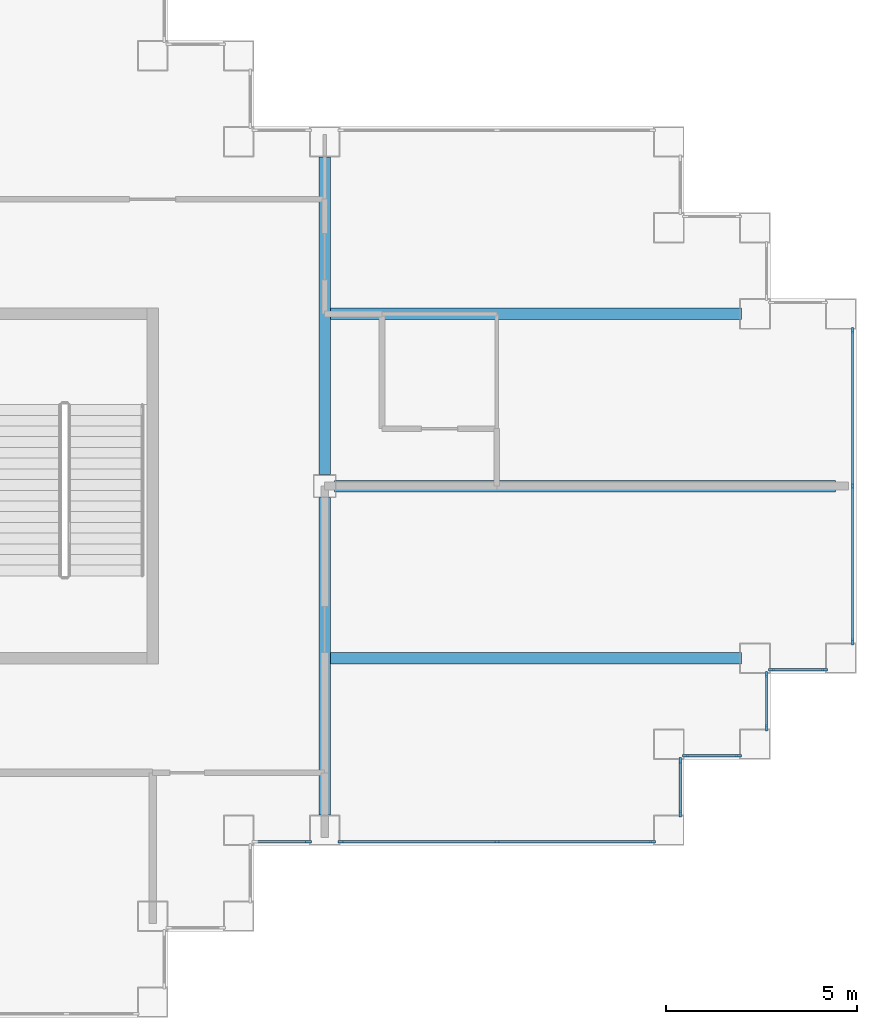
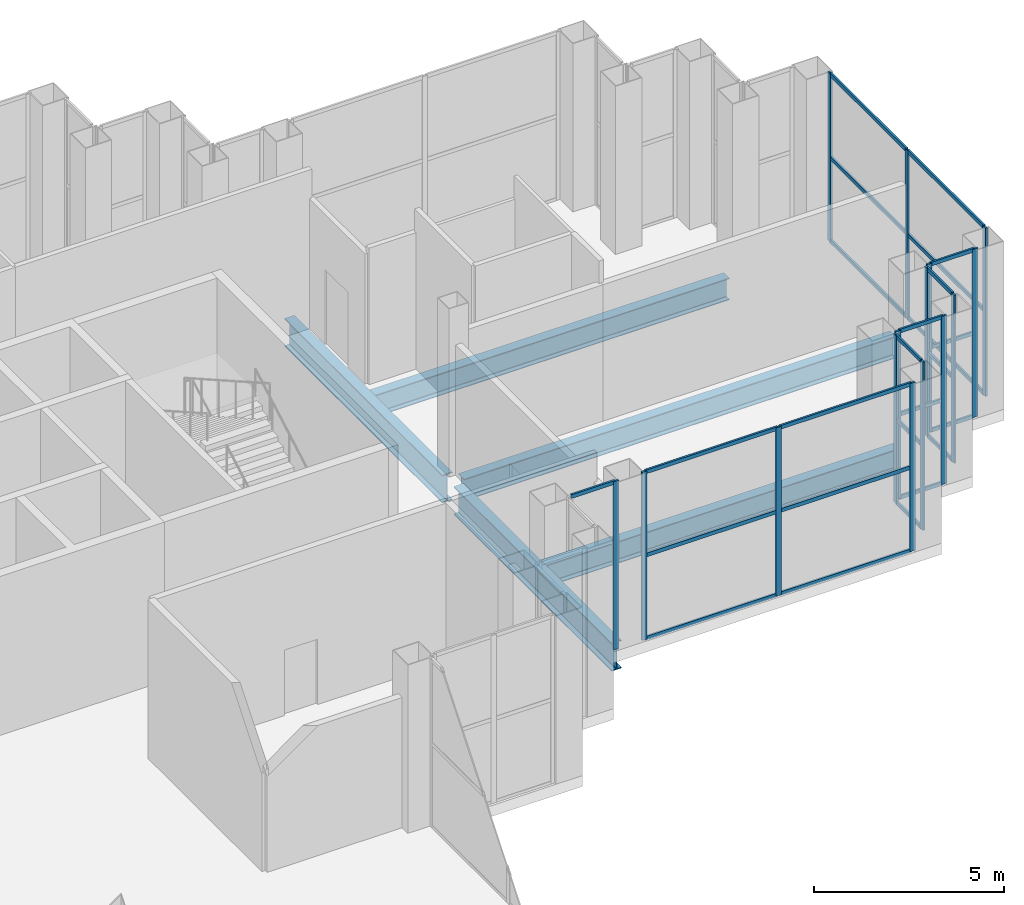
# One storey, part 6 of 18: 40 members, 5 beams, 7 elements without a shape of their own.
"""IFC4 building model written with IfcOpenShell, lengths in metres."""

from ifc_helpers import new_model, si_unit, direction, frame, origin, origin_2d, place, context, subcontext, project, spatial, rectangle, i_section, extrude, material, layer, layer_set, material_profile, profile_set, type_object, element, aggregate, save


model = new_model("IFC4")

# Units and contexts
model_context = context("Model", 3, precision=1e-05, world=origin(), true_north=direction((0.0, 1.0)))
body_context = subcontext(model_context, "Body", "Model", "MODEL_VIEW")
ifc_project = project(units=[si_unit("LENGTHUNIT", "METRE"), si_unit("AREAUNIT", "SQUARE_METRE"), si_unit("VOLUMEUNIT", "CUBIC_METRE"), si_unit("PLANEANGLEUNIT", "RADIAN"), si_unit("MASSUNIT", "GRAM", prefix="KILO")], contexts=[model_context])

# Site, building, storey
site_placement = place(None, origin())
site = spatial("IfcSite", under=ifc_project, at=site_placement, CompositionType="ELEMENT")
building_placement = place(site_placement, origin())
building = spatial("IfcBuilding", under=site, at=building_placement, Name="Caravel Reach Hotel and Residences", CompositionType="ELEMENT")
storey_placement = place(building_placement, frame((0.0, 0.0, 145.199951171875)))
storey = spatial("IfcBuildingStorey", under=building, at=storey_placement, Name="L36", CompositionType="ELEMENT", Elevation=145.199951171875)

# Beams
ifc_material_1 = material(Name="Structural steel Q355B", Category="steel")
ifc_material_profile_1 = material_profile(ifc_material_1, i_section(OverallWidth=0.300048828125, OverallDepth=0.699951171875, WebThickness=0.012939453125, FlangeThickness=0.02392578125, FilletRadius=0.01806640625, at=origin_2d()), Name="HN 700x300x13x24")
ifc_profile_set_1 = profile_set([ifc_material_profile_1], Name="Structural steel Q355B")
beam_type_1 = type_object("IfcBeamType", Name="Beam HN 700x300x13x24", PredefinedType="BEAM", material=ifc_profile_set_1)
beam_1_placement = place(storey_placement, frame((49.64990234375, 22.5, -0.699951171875), z_axis=(1.0, 0.0, 0.0), x_axis=(0.0, 1.0, 0.0)))
element("IfcBeam", 1, at=beam_1_placement, inside=storey, type_object=beam_type_1, Name="B2 HN 700x300x13x24", PredefinedType="BEAM", context=body_context, shape_type="SweptSolid", body=[
    extrude(i_section(OverallWidth=0.300048828125, OverallDepth=0.699951171875, WebThickness=0.012939453125, FlangeThickness=0.02392578125, FilletRadius=0.01806640625, at=origin_2d()), origin(), (0.0, 0.0, 1.0), 10.75),
])
beam_2_placement = place(storey_placement, frame((49.75, 27.0, -0.699951171875), z_axis=(1.0, 0.0, 0.0), x_axis=(0.0, 1.0, 0.0)))
element("IfcBeam", 2, at=beam_2_placement, inside=storey, type_object=beam_type_1, Name="B2 HN 700x300x13x24", PredefinedType="BEAM", context=body_context, shape_type="SweptSolid", body=[
    extrude(i_section(OverallWidth=0.300048828125, OverallDepth=0.699951171875, WebThickness=0.012939453125, FlangeThickness=0.02392578125, FilletRadius=0.01806640625, at=origin_2d()), origin(), (0.0, 0.0, 1.0), 13.10009765625),
])
beam_3_placement = place(storey_placement, frame((49.64990234375, 31.5, -0.699951171875), z_axis=(1.0, 0.0, 0.0), x_axis=(0.0, 1.0, 0.0)))
element("IfcBeam", 3, at=beam_3_placement, inside=storey, type_object=beam_type_1, Name="B2 HN 700x300x13x24", PredefinedType="BEAM", context=body_context, shape_type="SweptSolid", body=[
    extrude(i_section(OverallWidth=0.300048828125, OverallDepth=0.699951171875, WebThickness=0.012939453125, FlangeThickness=0.02392578125, FilletRadius=0.01806640625, at=origin_2d()), origin(), (0.0, 0.0, 1.0), 10.75),
])
ifc_material_2 = material(Name="Structural steel Q355B", Category="steel")
ifc_material_profile_2 = material_profile(ifc_material_2, i_section(OverallWidth=0.300048828125, OverallDepth=0.89990234375, WebThickness=0.01611328125, FlangeThickness=0.028076171875, FilletRadius=0.01806640625, at=origin_2d()), Name="HN 900x300x16x28")
ifc_profile_set_2 = profile_set([ifc_material_profile_2], Name="Structural steel Q355B")
beam_type_2 = type_object("IfcBeamType", Name="Beam HN 900x300x16x28", PredefinedType="BEAM", material=ifc_profile_set_2)
for number, where, z_axis, x_axis, name in (
    (4, (49.5, 18.39990234375, -0.800048828125), (0.0, 1.0, 0.0), (-1.0, 0.0, 0.0), "B3 HN 900x300x16x28"),
    (5, (49.5, 27.300048828125, -0.800048828125), (0.0, 1.0, 0.0), (-1.0, 0.0, 0.0), "B3 HN 900x300x16x28"),
):
    element("IfcBeam", number, at=place(storey_placement, frame(where, z_axis=z_axis, x_axis=x_axis)), inside=storey, type_object=beam_type_2, Name=name, PredefinedType="BEAM", context=body_context, shape_type="SweptSolid", body=[
        extrude(i_section(OverallWidth=0.300048828125, OverallDepth=0.89990234375, WebThickness=0.01611328125, FlangeThickness=0.028076171875, FilletRadius=0.01806640625, at=origin_2d()), origin(), (0.0, 0.0, 1.0), 8.300048828125),
    ])

# Curtain wall, member
ifc_material_3 = material(Name="Dark low-e glazing in black aluminium frame", Category="aluminium")
ifc_layer = layer(ifc_material_3, 0.199951171875)
ifc_layer_set = layer_set([ifc_layer], Name="CW2 Sky lobby glazing")
curtain_wall_type = type_object("IfcCurtainWallType", Name="CW2 Sky lobby glazing", PredefinedType="NOTDEFINED", material=ifc_layer_set)
curtain_wall_1_placement = place(storey_placement, origin())
curtain_wall_1 = element("IfcCurtainWall", 6, at=curtain_wall_1_placement, inside=storey, type_object=curtain_wall_type, Name="Sky lobby glazing b0", PredefinedType="NOTDEFINED")
ifc_material_4 = material(Name="Anodised aluminium alloy 6063-T5, black", Category="aluminium")
ifc_material_profile_3 = material_profile(ifc_material_4, rectangle(XDim=0.06005859375, YDim=0.159912109375, at=origin_2d()), Name="CW mullion 60 x 160")
ifc_profile_set_3 = profile_set([ifc_material_profile_3], Name="Anodised aluminium alloy 6063-T5, black")
member_type_1 = type_object("IfcMemberType", Name="CW mullion 60 x 160", PredefinedType="MULLION", material=ifc_profile_set_3)
member_1_placement = place(storey_placement, frame((49.070068359375, 17.699951171875, 0.0), z_axis=(0.0, 0.0, 1.0), x_axis=(0.0, 1.0, 0.0)))
member_1 = element("IfcMember", 7, at=member_1_placement, type_object=member_type_1, Name="CW2 mullion 2", PredefinedType="MULLION", context=body_context, shape_type="SweptSolid", body=[
    extrude(rectangle(XDim=0.06005859375, YDim=0.159912109375, at=origin_2d()), origin(), (0.0, 0.0, 1.0), 5.400146484375),
])

# Curtain wall, members
curtain_wall_2_placement = place(storey_placement, origin())
curtain_wall_2 = element("IfcCurtainWall", 8, at=curtain_wall_2_placement, inside=storey, type_object=curtain_wall_type, Name="Sky lobby glazing b1", PredefinedType="NOTDEFINED")
member_2_placement = place(storey_placement, frame((49.929931640625, 17.699951171875, 0.0), z_axis=(0.0, 0.0, 1.0), x_axis=(0.0, 1.0, 0.0)))
member_2 = element("IfcMember", 9, at=member_2_placement, type_object=member_type_1, Name="CW2 mullion 1", PredefinedType="MULLION", context=body_context, shape_type="SweptSolid", body=[
    extrude(rectangle(XDim=0.06005859375, YDim=0.159912109375, at=origin_2d()), origin(), (0.0, 0.0, 1.0), 5.400146484375),
])
member_3_placement = place(storey_placement, frame((54.0, 17.699951171875, 0.0), z_axis=(0.0, 0.0, 1.0), x_axis=(0.0, 1.0, 0.0)))
member_3 = element("IfcMember", 10, at=member_3_placement, type_object=member_type_1, Name="CW2 mullion 2", PredefinedType="MULLION", context=body_context, shape_type="SweptSolid", body=[
    extrude(rectangle(XDim=0.06005859375, YDim=0.159912109375, at=origin_2d()), origin(), (0.0, 0.0, 1.0), 5.400146484375),
])
member_4_placement = place(storey_placement, frame((58.070068359375, 17.699951171875, 0.0), z_axis=(0.0, 0.0, 1.0), x_axis=(0.0, 1.0, 0.0)))
member_4 = element("IfcMember", 11, at=member_4_placement, type_object=member_type_1, Name="CW2 mullion 3", PredefinedType="MULLION", context=body_context, shape_type="SweptSolid", body=[
    extrude(rectangle(XDim=0.06005859375, YDim=0.159912109375, at=origin_2d()), origin(), (0.0, 0.0, 1.0), 5.400146484375),
])

curtain_wall_3_placement = place(storey_placement, origin())
curtain_wall_3 = element("IfcCurtainWall", 12, at=curtain_wall_3_placement, inside=storey, type_object=curtain_wall_type, Name="Sky lobby glazing b0", PredefinedType="NOTDEFINED")
member_5_placement = place(storey_placement, frame((58.800048828125, 18.429931640625, 0.0), z_axis=(0.0, 0.0, 1.0), x_axis=(-1.0, 0.0, 0.0)))
member_5 = element("IfcMember", 13, at=member_5_placement, type_object=member_type_1, Name="CW2 mullion 1", PredefinedType="MULLION", context=body_context, shape_type="SweptSolid", body=[
    extrude(rectangle(XDim=0.06005859375, YDim=0.159912109375, at=origin_2d()), origin(), (0.0, 0.0, 1.0), 5.400146484375),
])
member_6_placement = place(storey_placement, frame((58.800048828125, 19.820068359375, 0.0), z_axis=(0.0, 0.0, 1.0), x_axis=(-1.0, 0.0, 0.0)))
member_6 = element("IfcMember", 14, at=member_6_placement, type_object=member_type_1, Name="CW2 mullion 2", PredefinedType="MULLION", context=body_context, shape_type="SweptSolid", body=[
    extrude(rectangle(XDim=0.06005859375, YDim=0.159912109375, at=origin_2d()), origin(), (0.0, 0.0, 1.0), 5.400146484375),
])

curtain_wall_4_placement = place(storey_placement, origin())
curtain_wall_4 = element("IfcCurtainWall", 15, at=curtain_wall_4_placement, inside=storey, type_object=curtain_wall_type, Name="Sky lobby glazing b0", PredefinedType="NOTDEFINED")
member_7_placement = place(storey_placement, frame((58.929931640625, 19.949951171875, 0.0), z_axis=(0.0, 0.0, 1.0), x_axis=(0.0, 1.0, 0.0)))
member_7 = element("IfcMember", 16, at=member_7_placement, type_object=member_type_1, Name="CW2 mullion 1", PredefinedType="MULLION", context=body_context, shape_type="SweptSolid", body=[
    extrude(rectangle(XDim=0.06005859375, YDim=0.159912109375, at=origin_2d()), origin(), (0.0, 0.0, 1.0), 5.400146484375),
])
member_8_placement = place(storey_placement, frame((60.320068359375, 19.949951171875, 0.0), z_axis=(0.0, 0.0, 1.0), x_axis=(0.0, 1.0, 0.0)))
member_8 = element("IfcMember", 17, at=member_8_placement, type_object=member_type_1, Name="CW2 mullion 2", PredefinedType="MULLION", context=body_context, shape_type="SweptSolid", body=[
    extrude(rectangle(XDim=0.06005859375, YDim=0.159912109375, at=origin_2d()), origin(), (0.0, 0.0, 1.0), 5.400146484375),
])

curtain_wall_5_placement = place(storey_placement, origin())
curtain_wall_5 = element("IfcCurtainWall", 18, at=curtain_wall_5_placement, inside=storey, type_object=curtain_wall_type, Name="Sky lobby glazing b0", PredefinedType="NOTDEFINED")
member_9_placement = place(storey_placement, frame((61.050048828125, 20.679931640625, 0.0), z_axis=(0.0, 0.0, 1.0), x_axis=(-1.0, 0.0, 0.0)))
member_9 = element("IfcMember", 19, at=member_9_placement, type_object=member_type_1, Name="CW2 mullion 1", PredefinedType="MULLION", context=body_context, shape_type="SweptSolid", body=[
    extrude(rectangle(XDim=0.06005859375, YDim=0.159912109375, at=origin_2d()), origin(), (0.0, 0.0, 1.0), 5.400146484375),
])
member_10_placement = place(storey_placement, frame((61.050048828125, 22.070068359375, 0.0), z_axis=(0.0, 0.0, 1.0), x_axis=(-1.0, 0.0, 0.0)))
member_10 = element("IfcMember", 20, at=member_10_placement, type_object=member_type_1, Name="CW2 mullion 2", PredefinedType="MULLION", context=body_context, shape_type="SweptSolid", body=[
    extrude(rectangle(XDim=0.06005859375, YDim=0.159912109375, at=origin_2d()), origin(), (0.0, 0.0, 1.0), 5.400146484375),
])

curtain_wall_6_placement = place(storey_placement, origin())
curtain_wall_6 = element("IfcCurtainWall", 21, at=curtain_wall_6_placement, inside=storey, type_object=curtain_wall_type, Name="Sky lobby glazing b0", PredefinedType="NOTDEFINED")
member_11_placement = place(storey_placement, frame((61.179931640625, 22.199951171875, 0.0), z_axis=(0.0, 0.0, 1.0), x_axis=(0.0, 1.0, 0.0)))
member_11 = element("IfcMember", 22, at=member_11_placement, type_object=member_type_1, Name="CW2 mullion 1", PredefinedType="MULLION", context=body_context, shape_type="SweptSolid", body=[
    extrude(rectangle(XDim=0.06005859375, YDim=0.159912109375, at=origin_2d()), origin(), (0.0, 0.0, 1.0), 5.400146484375),
])
member_12_placement = place(storey_placement, frame((62.570068359375, 22.199951171875, 0.0), z_axis=(0.0, 0.0, 1.0), x_axis=(0.0, 1.0, 0.0)))
member_12 = element("IfcMember", 23, at=member_12_placement, type_object=member_type_1, Name="CW2 mullion 2", PredefinedType="MULLION", context=body_context, shape_type="SweptSolid", body=[
    extrude(rectangle(XDim=0.06005859375, YDim=0.159912109375, at=origin_2d()), origin(), (0.0, 0.0, 1.0), 5.400146484375),
])

curtain_wall_7_placement = place(storey_placement, origin())
curtain_wall_7 = element("IfcCurtainWall", 24, at=curtain_wall_7_placement, inside=storey, type_object=curtain_wall_type, Name="Sky lobby glazing b0", PredefinedType="NOTDEFINED")
member_13_placement = place(storey_placement, frame((63.300048828125, 22.929931640625, 0.0), z_axis=(0.0, 0.0, 1.0), x_axis=(-1.0, 0.0, 0.0)))
member_13 = element("IfcMember", 25, at=member_13_placement, type_object=member_type_1, Name="CW2 mullion 1", PredefinedType="MULLION", context=body_context, shape_type="SweptSolid", body=[
    extrude(rectangle(XDim=0.06005859375, YDim=0.159912109375, at=origin_2d()), origin(), (0.0, 0.0, 1.0), 5.400146484375),
])
member_14_placement = place(storey_placement, frame((63.300048828125, 27.0, 0.0), z_axis=(0.0, 0.0, 1.0), x_axis=(-1.0, 0.0, 0.0)))
member_14 = element("IfcMember", 26, at=member_14_placement, type_object=member_type_1, Name="CW2 mullion 2", PredefinedType="MULLION", context=body_context, shape_type="SweptSolid", body=[
    extrude(rectangle(XDim=0.06005859375, YDim=0.159912109375, at=origin_2d()), origin(), (0.0, 0.0, 1.0), 5.400146484375),
])
member_15_placement = place(storey_placement, frame((63.300048828125, 31.070068359375, 0.0), z_axis=(0.0, 0.0, 1.0), x_axis=(-1.0, 0.0, 0.0)))
member_15 = element("IfcMember", 27, at=member_15_placement, type_object=member_type_1, Name="CW2 mullion 3", PredefinedType="MULLION", context=body_context, shape_type="SweptSolid", body=[
    extrude(rectangle(XDim=0.06005859375, YDim=0.159912109375, at=origin_2d()), origin(), (0.0, 0.0, 1.0), 5.400146484375),
])

# Member
ifc_material_5 = material(Name="Anodised aluminium alloy 6063-T5, black", Category="aluminium")
ifc_material_profile_4 = material_profile(ifc_material_5, rectangle(XDim=0.06005859375, YDim=0.1201171875, at=origin_2d()), Name="CW transom 60 x 120")
ifc_profile_set_4 = profile_set([ifc_material_profile_4], Name="Anodised aluminium alloy 6063-T5, black")
member_type_2 = type_object("IfcMemberType", Name="CW transom 60 x 120", PredefinedType="USERDEFINED", material=ifc_profile_set_4)
member_16_placement = place(storey_placement, frame((47.7099609375, 17.699951171875, 5.3701171875), z_axis=(1.0, 0.0, 0.0), x_axis=(0.0, 1.0, 0.0)))
member_16 = element("IfcMember", 28, at=member_16_placement, type_object=member_type_2, Name="CW2 transom 1.3", ObjectType="TRANSOM", PredefinedType="USERDEFINED", context=body_context, shape_type="SweptSolid", body=[
    extrude(rectangle(XDim=0.06005859375, YDim=0.1201171875, at=origin_2d()), origin(), (0.0, 0.0, 1.0), 1.330078125),
])

aggregate(curtain_wall_1, [member_1, member_16])

member_17_placement = place(storey_placement, frame((49.9599609375, 17.699951171875, 0.030029296875), z_axis=(1.0, 0.0, 0.0), x_axis=(0.0, 1.0, 0.0)))
member_17 = element("IfcMember", 29, at=member_17_placement, type_object=member_type_2, Name="CW2 transom 1.1", ObjectType="TRANSOM", PredefinedType="USERDEFINED", context=body_context, shape_type="SweptSolid", body=[
    extrude(rectangle(XDim=0.06005859375, YDim=0.1201171875, at=origin_2d()), origin(), (0.0, 0.0, 1.0), 4.010009765625),
])

member_18_placement = place(storey_placement, frame((49.9599609375, 17.699951171875, 2.699951171875), z_axis=(1.0, 0.0, 0.0), x_axis=(0.0, 1.0, 0.0)))
member_18 = element("IfcMember", 30, at=member_18_placement, type_object=member_type_2, Name="CW2 transom 1.2", ObjectType="TRANSOM", PredefinedType="USERDEFINED", context=body_context, shape_type="SweptSolid", body=[
    extrude(rectangle(XDim=0.06005859375, YDim=0.1201171875, at=origin_2d()), origin(), (0.0, 0.0, 1.0), 4.010009765625),
])

member_19_placement = place(storey_placement, frame((49.9599609375, 17.699951171875, 5.3701171875), z_axis=(1.0, 0.0, 0.0), x_axis=(0.0, 1.0, 0.0)))
member_19 = element("IfcMember", 31, at=member_19_placement, type_object=member_type_2, Name="CW2 transom 1.3", ObjectType="TRANSOM", PredefinedType="USERDEFINED", context=body_context, shape_type="SweptSolid", body=[
    extrude(rectangle(XDim=0.06005859375, YDim=0.1201171875, at=origin_2d()), origin(), (0.0, 0.0, 1.0), 4.010009765625),
])

member_20_placement = place(storey_placement, frame((54.030029296875, 17.699951171875, 0.030029296875), z_axis=(1.0, 0.0, 0.0), x_axis=(0.0, 1.0, 0.0)))
member_20 = element("IfcMember", 32, at=member_20_placement, type_object=member_type_2, Name="CW2 transom 2.1", ObjectType="TRANSOM", PredefinedType="USERDEFINED", context=body_context, shape_type="SweptSolid", body=[
    extrude(rectangle(XDim=0.06005859375, YDim=0.1201171875, at=origin_2d()), origin(), (0.0, 0.0, 1.0), 4.010009765625),
])

member_21_placement = place(storey_placement, frame((54.030029296875, 17.699951171875, 2.699951171875), z_axis=(1.0, 0.0, 0.0), x_axis=(0.0, 1.0, 0.0)))
member_21 = element("IfcMember", 33, at=member_21_placement, type_object=member_type_2, Name="CW2 transom 2.2", ObjectType="TRANSOM", PredefinedType="USERDEFINED", context=body_context, shape_type="SweptSolid", body=[
    extrude(rectangle(XDim=0.06005859375, YDim=0.1201171875, at=origin_2d()), origin(), (0.0, 0.0, 1.0), 4.010009765625),
])

member_22_placement = place(storey_placement, frame((54.030029296875, 17.699951171875, 5.3701171875), z_axis=(1.0, 0.0, 0.0), x_axis=(0.0, 1.0, 0.0)))
member_22 = element("IfcMember", 34, at=member_22_placement, type_object=member_type_2, Name="CW2 transom 2.3", ObjectType="TRANSOM", PredefinedType="USERDEFINED", context=body_context, shape_type="SweptSolid", body=[
    extrude(rectangle(XDim=0.06005859375, YDim=0.1201171875, at=origin_2d()), origin(), (0.0, 0.0, 1.0), 4.010009765625),
])

aggregate(curtain_wall_2, [member_2, member_3, member_4, member_17, member_18, member_19, member_20, member_21, member_22])

member_23_placement = place(storey_placement, frame((58.800048828125, 18.4599609375, 0.030029296875), z_axis=(0.0, 1.0, 0.0), x_axis=(-1.0, 0.0, 0.0)))
member_23 = element("IfcMember", 35, at=member_23_placement, type_object=member_type_2, Name="CW2 transom 1.1", ObjectType="TRANSOM", PredefinedType="USERDEFINED", context=body_context, shape_type="SweptSolid", body=[
    extrude(rectangle(XDim=0.06005859375, YDim=0.1201171875, at=origin_2d()), origin(), (0.0, 0.0, 1.0), 1.330078125),
])

member_24_placement = place(storey_placement, frame((58.800048828125, 18.4599609375, 2.699951171875), z_axis=(0.0, 1.0, 0.0), x_axis=(-1.0, 0.0, 0.0)))
member_24 = element("IfcMember", 36, at=member_24_placement, type_object=member_type_2, Name="CW2 transom 1.2", ObjectType="TRANSOM", PredefinedType="USERDEFINED", context=body_context, shape_type="SweptSolid", body=[
    extrude(rectangle(XDim=0.06005859375, YDim=0.1201171875, at=origin_2d()), origin(), (0.0, 0.0, 1.0), 1.330078125),
])

member_25_placement = place(storey_placement, frame((58.800048828125, 18.4599609375, 5.3701171875), z_axis=(0.0, 1.0, 0.0), x_axis=(-1.0, 0.0, 0.0)))
member_25 = element("IfcMember", 37, at=member_25_placement, type_object=member_type_2, Name="CW2 transom 1.3", ObjectType="TRANSOM", PredefinedType="USERDEFINED", context=body_context, shape_type="SweptSolid", body=[
    extrude(rectangle(XDim=0.06005859375, YDim=0.1201171875, at=origin_2d()), origin(), (0.0, 0.0, 1.0), 1.330078125),
])

aggregate(curtain_wall_3, [member_5, member_6, member_23, member_24, member_25])

member_26_placement = place(storey_placement, frame((58.9599609375, 19.949951171875, 0.030029296875), z_axis=(1.0, 0.0, 0.0), x_axis=(0.0, 1.0, 0.0)))
member_26 = element("IfcMember", 38, at=member_26_placement, type_object=member_type_2, Name="CW2 transom 1.1", ObjectType="TRANSOM", PredefinedType="USERDEFINED", context=body_context, shape_type="SweptSolid", body=[
    extrude(rectangle(XDim=0.06005859375, YDim=0.1201171875, at=origin_2d()), origin(), (0.0, 0.0, 1.0), 1.330078125),
])

member_27_placement = place(storey_placement, frame((58.9599609375, 19.949951171875, 2.699951171875), z_axis=(1.0, 0.0, 0.0), x_axis=(0.0, 1.0, 0.0)))
member_27 = element("IfcMember", 39, at=member_27_placement, type_object=member_type_2, Name="CW2 transom 1.2", ObjectType="TRANSOM", PredefinedType="USERDEFINED", context=body_context, shape_type="SweptSolid", body=[
    extrude(rectangle(XDim=0.06005859375, YDim=0.1201171875, at=origin_2d()), origin(), (0.0, 0.0, 1.0), 1.330078125),
])

member_28_placement = place(storey_placement, frame((58.9599609375, 19.949951171875, 5.3701171875), z_axis=(1.0, 0.0, 0.0), x_axis=(0.0, 1.0, 0.0)))
member_28 = element("IfcMember", 40, at=member_28_placement, type_object=member_type_2, Name="CW2 transom 1.3", ObjectType="TRANSOM", PredefinedType="USERDEFINED", context=body_context, shape_type="SweptSolid", body=[
    extrude(rectangle(XDim=0.06005859375, YDim=0.1201171875, at=origin_2d()), origin(), (0.0, 0.0, 1.0), 1.330078125),
])

aggregate(curtain_wall_4, [member_7, member_8, member_26, member_27, member_28])

member_29_placement = place(storey_placement, frame((61.050048828125, 20.7099609375, 0.030029296875), z_axis=(0.0, 1.0, 0.0), x_axis=(-1.0, 0.0, 0.0)))
member_29 = element("IfcMember", 41, at=member_29_placement, type_object=member_type_2, Name="CW2 transom 1.1", ObjectType="TRANSOM", PredefinedType="USERDEFINED", context=body_context, shape_type="SweptSolid", body=[
    extrude(rectangle(XDim=0.06005859375, YDim=0.1201171875, at=origin_2d()), origin(), (0.0, 0.0, 1.0), 1.330078125),
])

member_30_placement = place(storey_placement, frame((61.050048828125, 20.7099609375, 2.699951171875), z_axis=(0.0, 1.0, 0.0), x_axis=(-1.0, 0.0, 0.0)))
member_30 = element("IfcMember", 42, at=member_30_placement, type_object=member_type_2, Name="CW2 transom 1.2", ObjectType="TRANSOM", PredefinedType="USERDEFINED", context=body_context, shape_type="SweptSolid", body=[
    extrude(rectangle(XDim=0.06005859375, YDim=0.1201171875, at=origin_2d()), origin(), (0.0, 0.0, 1.0), 1.330078125),
])

member_31_placement = place(storey_placement, frame((61.050048828125, 20.7099609375, 5.3701171875), z_axis=(0.0, 1.0, 0.0), x_axis=(-1.0, 0.0, 0.0)))
member_31 = element("IfcMember", 43, at=member_31_placement, type_object=member_type_2, Name="CW2 transom 1.3", ObjectType="TRANSOM", PredefinedType="USERDEFINED", context=body_context, shape_type="SweptSolid", body=[
    extrude(rectangle(XDim=0.06005859375, YDim=0.1201171875, at=origin_2d()), origin(), (0.0, 0.0, 1.0), 1.330078125),
])

aggregate(curtain_wall_5, [member_9, member_10, member_29, member_30, member_31])

member_32_placement = place(storey_placement, frame((61.2099609375, 22.199951171875, 0.030029296875), z_axis=(1.0, 0.0, 0.0), x_axis=(0.0, 1.0, 0.0)))
member_32 = element("IfcMember", 44, at=member_32_placement, type_object=member_type_2, Name="CW2 transom 1.1", ObjectType="TRANSOM", PredefinedType="USERDEFINED", context=body_context, shape_type="SweptSolid", body=[
    extrude(rectangle(XDim=0.06005859375, YDim=0.1201171875, at=origin_2d()), origin(), (0.0, 0.0, 1.0), 1.330078125),
])

member_33_placement = place(storey_placement, frame((61.2099609375, 22.199951171875, 2.699951171875), z_axis=(1.0, 0.0, 0.0), x_axis=(0.0, 1.0, 0.0)))
member_33 = element("IfcMember", 45, at=member_33_placement, type_object=member_type_2, Name="CW2 transom 1.2", ObjectType="TRANSOM", PredefinedType="USERDEFINED", context=body_context, shape_type="SweptSolid", body=[
    extrude(rectangle(XDim=0.06005859375, YDim=0.1201171875, at=origin_2d()), origin(), (0.0, 0.0, 1.0), 1.330078125),
])

member_34_placement = place(storey_placement, frame((61.2099609375, 22.199951171875, 5.3701171875), z_axis=(1.0, 0.0, 0.0), x_axis=(0.0, 1.0, 0.0)))
member_34 = element("IfcMember", 46, at=member_34_placement, type_object=member_type_2, Name="CW2 transom 1.3", ObjectType="TRANSOM", PredefinedType="USERDEFINED", context=body_context, shape_type="SweptSolid", body=[
    extrude(rectangle(XDim=0.06005859375, YDim=0.1201171875, at=origin_2d()), origin(), (0.0, 0.0, 1.0), 1.330078125),
])

aggregate(curtain_wall_6, [member_11, member_12, member_32, member_33, member_34])

member_35_placement = place(storey_placement, frame((63.300048828125, 22.9599609375, 0.030029296875), z_axis=(0.0, 1.0, 0.0), x_axis=(-1.0, 0.0, 0.0)))
member_35 = element("IfcMember", 47, at=member_35_placement, type_object=member_type_2, Name="CW2 transom 1.1", ObjectType="TRANSOM", PredefinedType="USERDEFINED", context=body_context, shape_type="SweptSolid", body=[
    extrude(rectangle(XDim=0.06005859375, YDim=0.1201171875, at=origin_2d()), origin(), (0.0, 0.0, 1.0), 4.010009765625),
])

member_36_placement = place(storey_placement, frame((63.300048828125, 22.9599609375, 2.699951171875), z_axis=(0.0, 1.0, 0.0), x_axis=(-1.0, 0.0, 0.0)))
member_36 = element("IfcMember", 48, at=member_36_placement, type_object=member_type_2, Name="CW2 transom 1.2", ObjectType="TRANSOM", PredefinedType="USERDEFINED", context=body_context, shape_type="SweptSolid", body=[
    extrude(rectangle(XDim=0.06005859375, YDim=0.1201171875, at=origin_2d()), origin(), (0.0, 0.0, 1.0), 4.010009765625),
])

member_37_placement = place(storey_placement, frame((63.300048828125, 22.9599609375, 5.3701171875), z_axis=(0.0, 1.0, 0.0), x_axis=(-1.0, 0.0, 0.0)))
member_37 = element("IfcMember", 49, at=member_37_placement, type_object=member_type_2, Name="CW2 transom 1.3", ObjectType="TRANSOM", PredefinedType="USERDEFINED", context=body_context, shape_type="SweptSolid", body=[
    extrude(rectangle(XDim=0.06005859375, YDim=0.1201171875, at=origin_2d()), origin(), (0.0, 0.0, 1.0), 4.010009765625),
])

member_38_placement = place(storey_placement, frame((63.300048828125, 27.030029296875, 0.030029296875), z_axis=(0.0, 1.0, 0.0), x_axis=(-1.0, 0.0, 0.0)))
member_38 = element("IfcMember", 50, at=member_38_placement, type_object=member_type_2, Name="CW2 transom 2.1", ObjectType="TRANSOM", PredefinedType="USERDEFINED", context=body_context, shape_type="SweptSolid", body=[
    extrude(rectangle(XDim=0.06005859375, YDim=0.1201171875, at=origin_2d()), origin(), (0.0, 0.0, 1.0), 4.010009765625),
])

member_39_placement = place(storey_placement, frame((63.300048828125, 27.030029296875, 2.699951171875), z_axis=(0.0, 1.0, 0.0), x_axis=(-1.0, 0.0, 0.0)))
member_39 = element("IfcMember", 51, at=member_39_placement, type_object=member_type_2, Name="CW2 transom 2.2", ObjectType="TRANSOM", PredefinedType="USERDEFINED", context=body_context, shape_type="SweptSolid", body=[
    extrude(rectangle(XDim=0.06005859375, YDim=0.1201171875, at=origin_2d()), origin(), (0.0, 0.0, 1.0), 4.010009765625),
])

member_40_placement = place(storey_placement, frame((63.300048828125, 27.030029296875, 5.3701171875), z_axis=(0.0, 1.0, 0.0), x_axis=(-1.0, 0.0, 0.0)))
member_40 = element("IfcMember", 52, at=member_40_placement, type_object=member_type_2, Name="CW2 transom 2.3", ObjectType="TRANSOM", PredefinedType="USERDEFINED", context=body_context, shape_type="SweptSolid", body=[
    extrude(rectangle(XDim=0.06005859375, YDim=0.1201171875, at=origin_2d()), origin(), (0.0, 0.0, 1.0), 4.010009765625),
])

aggregate(curtain_wall_7, [member_13, member_14, member_15, member_35, member_36, member_37, member_38, member_39, member_40])

save(model, "model.ifc")
